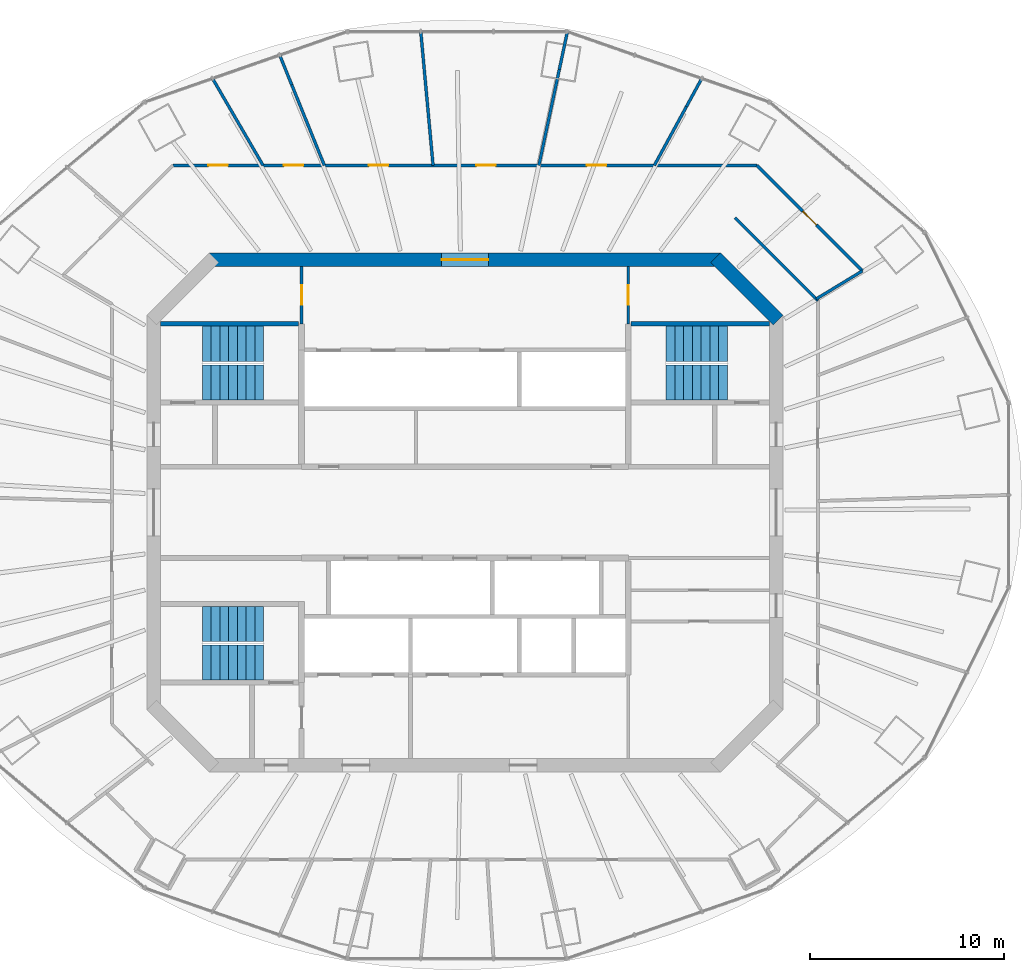
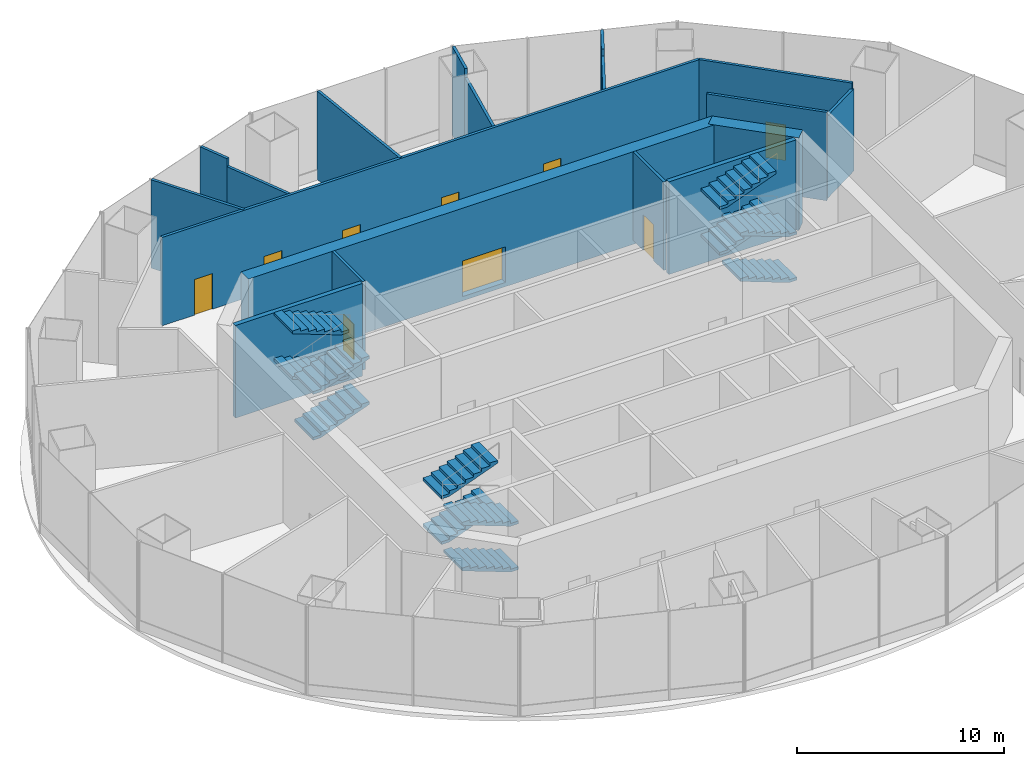
# One storey, part 11 of 12: 18 walls, 12 stair flights, 9 doors, 9 openings, 3 elements without a shape of their own.
"""IFC4 building model written with IfcOpenShell, lengths in metres."""

from ifc_helpers import new_model, si_unit, direction, frame, frame_2d, origin, place, context, subcontext, project, spatial, polyline, rectangle, outline, extrude, material, layer, layer_set, type_object, element, fill, aggregate, save


model = new_model("IFC4")

# Units and contexts
model_context = context("Model", 3, precision=1e-05, world=origin(), true_north=direction((0.0, 1.0)))
body_context = subcontext(model_context, "Body", "Model", "MODEL_VIEW")
ifc_project = project(units=[si_unit("LENGTHUNIT", "METRE"), si_unit("AREAUNIT", "SQUARE_METRE"), si_unit("VOLUMEUNIT", "CUBIC_METRE"), si_unit("PLANEANGLEUNIT", "RADIAN"), si_unit("MASSUNIT", "GRAM", prefix="KILO")], contexts=[model_context])

# Site, building, storey
site_placement = place(None, origin())
site = spatial("IfcSite", under=ifc_project, at=site_placement, CompositionType="ELEMENT")
building_placement = place(site_placement, origin())
building = spatial("IfcBuilding", under=site, at=building_placement, Name="Marenthal Gate Tower", CompositionType="ELEMENT")
storey_placement = place(building_placement, frame((0.0, 0.0, 279.10009765625)))
storey = spatial("IfcBuildingStorey", under=building, at=storey_placement, Name="L62", CompositionType="ELEMENT", Elevation=279.10009765625)

# Wall
ifc_material_1 = material(Name="Concrete 60 MPa", Category="concrete")
ifc_layer_1 = layer(ifc_material_1, 0.699951171875)
ifc_layer_set_1 = layer_set([ifc_layer_1], Name="Core shear wall 700")
wall_type_1 = type_object("IfcWallType", Name="Core shear wall 700", PredefinedType="SHEAR", material=ifc_layer_set_1)
wall_1_placement = place(storey_placement, frame((16.1025390625, 9.8974609375, -0.25), z_axis=(0.0, 0.0, 1.0), x_axis=(-0.707106781187, 0.707106781187, 0.0)))
element("IfcWall", 1, at=wall_1_placement, inside=storey, type_object=wall_type_1, Name="Core wall 03", PredefinedType="SHEAR", context=body_context, shape_type="SweptSolid", body=[
    extrude(rectangle(XDim=4.53271484375, YDim=0.699951171875, at=frame_2d((2.266357421875, 0.0))), origin(), (0.0, 0.0, 1.0), 5.469970703125),
])

# Wall, opening, door
wall_2_placement = place(storey_placement, frame((13.14501953125, 13.0, -0.25), z_axis=(0.0, 0.0, 1.0), x_axis=(-1.0, 0.0, 0.0)))
wall_2 = element("IfcWall", 2, at=wall_2_placement, inside=storey, type_object=wall_type_1, Name="Core wall 04", PredefinedType="SHEAR", context=body_context, shape_type="SweptSolid", body=[
    extrude(rectangle(XDim=26.2900390625, YDim=0.699951171875, at=frame_2d((13.14501953125, 0.0))), origin(), (0.0, 0.0, 1.0), 5.469970703125),
])
opening_1_placement = place(wall_2_placement, frame((11.945068359375, 0.0, 0.25)))
opening_1 = element("IfcOpeningElement", 3, at=opening_1_placement, cuts=wall_2, Name="Opening D003.03", PredefinedType="OPENING", context=body_context, shape_type="SweptSolid", body=[
    extrude(rectangle(XDim=2.39990234375, YDim=2.10009765625, at=frame_2d((1.199951171875, 1.050048828125))), frame((0.0, 0.35986328125, 0.0), z_axis=(0.0, -1.0, 0.0), x_axis=(1.0, 0.0, 0.0)), (0.0, 0.0, 1.0), 0.719970703125),
])
ifc_material_2 = material(Name="Steel fire door", Category="steel")
door_type_1 = type_object("IfcDoorType", Name="Double fire door FD 45 2400 x 2100", OperationType="DOUBLE_DOOR_SINGLE_SWING", PredefinedType="DOOR", material=ifc_material_2)
door_1_placement = place(opening_1_placement, origin())
door_1 = element("IfcDoor", 4, at=door_1_placement, inside=storey, type_object=door_type_1, Name="Door D003.03", OperationType="DOUBLE_DOOR_SINGLE_SWING", OverallHeight=2.10009765625, OverallWidth=2.39990234375, PredefinedType="DOOR", context=body_context, shape_type="SweptSolid", body=[
    extrude(rectangle(XDim=2.39990234375, YDim=2.10009765625, at=frame_2d((1.199951171875, 1.050048828125))), frame((0.0, 0.02490234375, 0.0), z_axis=(0.0, -1.0, 0.0), x_axis=(1.0, 0.0, 0.0)), (0.0, 0.0, 1.0), 0.050048828125),
])
fill(opening_1, door_1)

ifc_material_3 = material(Name="Gypsum board on steel studs", Category="steel")
ifc_layer_2 = layer(ifc_material_3, 0.14990234375)
ifc_layer_set_2 = layer_set([ifc_layer_2], Name="Partition 150")
wall_type_2 = type_object("IfcWallType", Name="Partition 150", PredefinedType="PARTITIONING", material=ifc_layer_set_2)
wall_3_placement = place(storey_placement, frame((-8.39990234375, 9.699951171875, 0.0), z_axis=(0.0, 0.0, 1.0), x_axis=(0.0, 1.0, 0.0)))
wall_3 = element("IfcWall", 5, at=wall_3_placement, inside=storey, type_object=wall_type_2, Name="Partition wall 34", PredefinedType="PARTITIONING", context=body_context, shape_type="SweptSolid", body=[
    extrude(rectangle(XDim=2.949951171875, YDim=0.14990234375, at=frame_2d((1.47509765625, 0.0))), origin(), (0.0, 0.0, 1.0), 5.219970703125),
])
opening_2_placement = place(wall_3_placement, frame((0.97509765625, 0.0, 0.0)))
opening_2 = element("IfcOpeningElement", 6, at=opening_2_placement, cuts=wall_3, Name="Opening D005.03", PredefinedType="OPENING", context=body_context, shape_type="SweptSolid", body=[
    extrude(rectangle(XDim=1.0, YDim=2.10009765625, at=frame_2d((0.5, 1.050048828125))), frame((0.0, 0.0849609375, 0.0), z_axis=(0.0, -1.0, 0.0), x_axis=(1.0, 0.0, 0.0)), (0.0, 0.0, 1.0), 0.169921875),
])
ifc_material_4 = material(Name="Steel fire door", Category="steel")
door_type_2 = type_object("IfcDoorType", Name="Fire door FD 45 1000 x 2100", OperationType="NOTDEFINED", PredefinedType="DOOR", material=ifc_material_4)
door_2_placement = place(opening_2_placement, origin())
door_2 = element("IfcDoor", 7, at=door_2_placement, inside=storey, type_object=door_type_2, Name="Door D005.03", OperationType="SINGLE_SWING_RIGHT", OverallHeight=2.10009765625, OverallWidth=1.0, PredefinedType="DOOR", context=body_context, shape_type="SweptSolid", body=[
    extrude(rectangle(XDim=1.0, YDim=2.10009765625, at=frame_2d((0.5, 1.050048828125))), frame((0.0, 0.02490234375, 0.0), z_axis=(0.0, -1.0, 0.0), x_axis=(1.0, 0.0, 0.0)), (0.0, 0.0, 1.0), 0.050048828125),
])
fill(opening_2, door_2)

wall_4_placement = place(storey_placement, frame((8.39990234375, 9.699951171875, 0.0), z_axis=(0.0, 0.0, 1.0), x_axis=(0.0, 1.0, 0.0)))
wall_4 = element("IfcWall", 8, at=wall_4_placement, inside=storey, type_object=wall_type_2, Name="Partition wall 48", PredefinedType="PARTITIONING", context=body_context, shape_type="SweptSolid", body=[
    extrude(rectangle(XDim=2.949951171875, YDim=0.14990234375, at=frame_2d((1.47509765625, 0.0))), origin(), (0.0, 0.0, 1.0), 5.219970703125),
])
opening_3_placement = place(wall_4_placement, frame((0.97509765625, 0.0, 0.0)))
opening_3 = element("IfcOpeningElement", 9, at=opening_3_placement, cuts=wall_4, Name="Opening D005.04", PredefinedType="OPENING", context=body_context, shape_type="SweptSolid", body=[
    extrude(rectangle(XDim=1.0, YDim=2.10009765625, at=frame_2d((0.5, 1.050048828125))), frame((0.0, 0.0849609375, 0.0), z_axis=(0.0, -1.0, 0.0), x_axis=(1.0, 0.0, 0.0)), (0.0, 0.0, 1.0), 0.169921875),
])
door_3_placement = place(opening_3_placement, frame((1.0, 0.0, 0.0), z_axis=(0.0, 0.0, 1.0), x_axis=(-1.0, 0.0, 0.0)))
door_3 = element("IfcDoor", 10, at=door_3_placement, inside=storey, type_object=door_type_2, Name="Door D005.04", OperationType="SINGLE_SWING_LEFT", OverallHeight=2.10009765625, OverallWidth=1.0, PredefinedType="DOOR", context=body_context, shape_type="SweptSolid", body=[
    extrude(rectangle(XDim=1.0, YDim=2.10009765625, at=frame_2d((0.5, 1.050048828125))), frame((0.0, 0.02490234375, 0.0), z_axis=(0.0, -1.0, 0.0), x_axis=(1.0, 0.0, 0.0)), (0.0, 0.0, 1.0), 0.050048828125),
])
fill(opening_3, door_3)

# Wall, openings, doors
wall_5_placement = place(storey_placement, frame((-15.009033203125, 17.85009765625, 0.0), z_axis=(0.0, 0.0, 1.0), x_axis=(1.0, 0.0, 0.0)))
wall_5 = element("IfcWall", 11, at=wall_5_placement, inside=storey, type_object=wall_type_2, Name="Partition wall 51", PredefinedType="PARTITIONING", context=body_context, shape_type="SweptSolid", body=[
    extrude(rectangle(XDim=30.01806640625, YDim=0.14990234375, at=frame_2d((15.009033203125, 0.0))), origin(), (0.0, 0.0, 1.0), 5.219970703125),
])
opening_4_placement = place(wall_5_placement, frame((21.2822265625, 0.0, 0.0)))
opening_4 = element("IfcOpeningElement", 12, at=opening_4_placement, cuts=wall_5, Name="Opening D012.02", PredefinedType="OPENING", context=body_context, shape_type="SweptSolid", body=[
    extrude(rectangle(XDim=1.0, YDim=2.10009765625, at=frame_2d((0.5, 1.050048828125))), frame((0.0, 0.0849609375, 0.0), z_axis=(0.0, -1.0, 0.0), x_axis=(1.0, 0.0, 0.0)), (0.0, 0.0, 1.0), 0.169921875),
])
opening_5_placement = place(wall_5_placement, frame((15.592041015625, 0.0, 0.0)))
opening_5 = element("IfcOpeningElement", 13, at=opening_5_placement, cuts=wall_5, Name="Opening D012.03", PredefinedType="OPENING", context=body_context, shape_type="SweptSolid", body=[
    extrude(rectangle(XDim=1.0, YDim=2.10009765625, at=frame_2d((0.5, 1.050048828125))), frame((0.0, 0.0849609375, 0.0), z_axis=(0.0, -1.0, 0.0), x_axis=(1.0, 0.0, 0.0)), (0.0, 0.0, 1.0), 0.169921875),
])
opening_6_placement = place(wall_5_placement, frame((10.075439453125, 0.0, 0.0)))
opening_6 = element("IfcOpeningElement", 14, at=opening_6_placement, cuts=wall_5, Name="Opening D012.04", PredefinedType="OPENING", context=body_context, shape_type="SweptSolid", body=[
    extrude(rectangle(XDim=1.0, YDim=2.10009765625, at=frame_2d((0.5, 1.050048828125))), frame((0.0, 0.0849609375, 0.0), z_axis=(0.0, -1.0, 0.0), x_axis=(1.0, 0.0, 0.0)), (0.0, 0.0, 1.0), 0.169921875),
])
opening_7_placement = place(wall_5_placement, frame((5.703857421875, 0.0, 0.0)))
opening_7 = element("IfcOpeningElement", 15, at=opening_7_placement, cuts=wall_5, Name="Opening D012.05", PredefinedType="OPENING", context=body_context, shape_type="SweptSolid", body=[
    extrude(rectangle(XDim=1.0, YDim=2.10009765625, at=frame_2d((0.5, 1.050048828125))), frame((0.0, 0.0849609375, 0.0), z_axis=(0.0, -1.0, 0.0), x_axis=(1.0, 0.0, 0.0)), (0.0, 0.0, 1.0), 0.169921875),
])
opening_8_placement = place(wall_5_placement, frame((1.813720703125, 0.0, 0.0)))
opening_8 = element("IfcOpeningElement", 16, at=opening_8_placement, cuts=wall_5, Name="Opening D012.06", PredefinedType="OPENING", context=body_context, shape_type="SweptSolid", body=[
    extrude(rectangle(XDim=1.0, YDim=2.10009765625, at=frame_2d((0.5, 1.050048828125))), frame((0.0, 0.0849609375, 0.0), z_axis=(0.0, -1.0, 0.0), x_axis=(1.0, 0.0, 0.0)), (0.0, 0.0, 1.0), 0.169921875),
])
ifc_material_5 = material(Name="Timber door", Category="wood")
door_type_3 = type_object("IfcDoorType", Name="Door 1000 x 2100", OperationType="NOTDEFINED", PredefinedType="DOOR", material=ifc_material_5)
door_4_placement = place(opening_4_placement, origin())
door_4 = element("IfcDoor", 17, at=door_4_placement, inside=storey, type_object=door_type_3, Name="Door D012.02", OperationType="SINGLE_SWING_RIGHT", OverallHeight=2.10009765625, OverallWidth=1.0, PredefinedType="DOOR", context=body_context, shape_type="SweptSolid", body=[
    extrude(rectangle(XDim=1.0, YDim=2.10009765625, at=frame_2d((0.5, 1.050048828125))), frame((0.0, 0.02490234375, 0.0), z_axis=(0.0, -1.0, 0.0), x_axis=(1.0, 0.0, 0.0)), (0.0, 0.0, 1.0), 0.050048828125),
])
fill(opening_4, door_4)
door_5_placement = place(opening_5_placement, origin())
door_5 = element("IfcDoor", 18, at=door_5_placement, inside=storey, type_object=door_type_3, Name="Door D012.03", OperationType="SINGLE_SWING_RIGHT", OverallHeight=2.10009765625, OverallWidth=1.0, PredefinedType="DOOR", context=body_context, shape_type="SweptSolid", body=[
    extrude(rectangle(XDim=1.0, YDim=2.10009765625, at=frame_2d((0.5, 1.050048828125))), frame((0.0, 0.02490234375, 0.0), z_axis=(0.0, -1.0, 0.0), x_axis=(1.0, 0.0, 0.0)), (0.0, 0.0, 1.0), 0.050048828125),
])
fill(opening_5, door_5)
door_6_placement = place(opening_6_placement, origin())
door_6 = element("IfcDoor", 19, at=door_6_placement, inside=storey, type_object=door_type_3, Name="Door D012.04", OperationType="SINGLE_SWING_RIGHT", OverallHeight=2.10009765625, OverallWidth=1.0, PredefinedType="DOOR", context=body_context, shape_type="SweptSolid", body=[
    extrude(rectangle(XDim=1.0, YDim=2.10009765625, at=frame_2d((0.5, 1.050048828125))), frame((0.0, 0.02490234375, 0.0), z_axis=(0.0, -1.0, 0.0), x_axis=(1.0, 0.0, 0.0)), (0.0, 0.0, 1.0), 0.050048828125),
])
fill(opening_6, door_6)
door_7_placement = place(opening_7_placement, origin())
door_7 = element("IfcDoor", 20, at=door_7_placement, inside=storey, type_object=door_type_3, Name="Door D012.05", OperationType="SINGLE_SWING_RIGHT", OverallHeight=2.10009765625, OverallWidth=1.0, PredefinedType="DOOR", context=body_context, shape_type="SweptSolid", body=[
    extrude(rectangle(XDim=1.0, YDim=2.10009765625, at=frame_2d((0.5, 1.050048828125))), frame((0.0, 0.02490234375, 0.0), z_axis=(0.0, -1.0, 0.0), x_axis=(1.0, 0.0, 0.0)), (0.0, 0.0, 1.0), 0.050048828125),
])
fill(opening_7, door_7)
door_8_placement = place(opening_8_placement, origin())
door_8 = element("IfcDoor", 21, at=door_8_placement, inside=storey, type_object=door_type_3, Name="Door D012.06", OperationType="SINGLE_SWING_RIGHT", OverallHeight=2.10009765625, OverallWidth=1.0, PredefinedType="DOOR", context=body_context, shape_type="SweptSolid", body=[
    extrude(rectangle(XDim=1.0, YDim=2.10009765625, at=frame_2d((0.5, 1.050048828125))), frame((0.0, 0.02490234375, 0.0), z_axis=(0.0, -1.0, 0.0), x_axis=(1.0, 0.0, 0.0)), (0.0, 0.0, 1.0), 0.050048828125),
])
fill(opening_8, door_8)

# Walls
wall_6_placement = place(storey_placement, frame((18.064208984375, 10.976318359375, 0.0), z_axis=(0.0, 0.0, 1.0), x_axis=(0.854588442766, 0.519305876619, 0.0)))
element("IfcWall", 22, at=wall_6_placement, inside=storey, type_object=wall_type_2, Name="Partition wall 57", PredefinedType="PARTITIONING", context=body_context, shape_type="SweptSolid", body=[
    extrude(rectangle(XDim=2.779296875, YDim=0.14990234375, at=frame_2d((1.3896484375, 0.0))), origin(), (0.0, 0.0, 1.0), 4.866943359375),
])
wall_7_placement = place(storey_placement, frame((9.7421875, 17.85009765625, 0.0), z_axis=(0.0, 0.0, 1.0), x_axis=(0.479051311854, 0.877786899316, 0.0)))
element("IfcWall", 23, at=wall_7_placement, inside=storey, type_object=wall_type_2, Name="Partition wall 62", PredefinedType="PARTITIONING", context=body_context, shape_type="SweptSolid", body=[
    extrude(rectangle(XDim=3.434814453125, YDim=0.14990234375, at=frame_2d((1.71728515625, 0.0))), origin(), (0.0, 0.0, 1.0), 4.802978515625),
])
wall_8_placement = place(storey_placement, frame((11.3876953125, 20.865234375, 0.0), z_axis=(0.0, 0.0, 1.0), x_axis=(0.479134206063, 0.877741654805, 0.0)))
element("IfcWall", 24, at=wall_8_placement, inside=storey, type_object=wall_type_2, Name="Partition wall 94", PredefinedType="PARTITIONING", context=body_context, shape_type="SweptSolid", body=[
    extrude(rectangle(XDim=1.63720703125, YDim=0.14990234375, at=frame_2d((0.818603515625, 0.0))), origin(), (0.0, 0.0, 1.0), 5.219970703125),
])
wall_9_placement = place(storey_placement, frame((3.804443359375, 17.85009765625, 0.0), z_axis=(0.0, 0.0, 1.0), x_axis=(0.208471298824, 0.978028485049, 0.0)))
element("IfcWall", 25, at=wall_9_placement, inside=storey, type_object=wall_type_2, Name="Partition wall 63", PredefinedType="PARTITIONING", context=body_context, shape_type="SweptSolid", body=[
    extrude(rectangle(XDim=5.02880859375, YDim=0.14990234375, at=frame_2d((2.514404296875, 0.0))), origin(), (0.0, 0.0, 1.0), 4.683837890625),
])
wall_10_placement = place(storey_placement, frame((4.852783203125, 22.768310546875, 0.0), z_axis=(0.0, 0.0, 1.0), x_axis=(0.208468771503, 0.978029023755, 0.0)))
element("IfcWall", 26, at=wall_10_placement, inside=storey, type_object=wall_type_2, Name="Partition wall 95", PredefinedType="PARTITIONING", context=body_context, shape_type="SweptSolid", body=[
    extrude(rectangle(XDim=1.9814453125, YDim=0.14990234375, at=frame_2d((0.99072265625, 0.0))), origin(), (0.0, 0.0, 1.0), 5.219970703125),
])
wall_11_placement = place(storey_placement, frame((-1.638427734375, 17.85009765625, 0.0), z_axis=(0.0, 0.0, 1.0), x_axis=(-0.091426453393, 0.995811831432, 0.0)))
element("IfcWall", 27, at=wall_11_placement, inside=storey, type_object=wall_type_2, Name="Partition wall 68", PredefinedType="PARTITIONING", context=body_context, shape_type="SweptSolid", body=[
    extrude(rectangle(XDim=6.894775390625, YDim=0.14990234375, at=frame_2d((3.447265625, 0.0))), origin(), (0.0, 0.0, 1.0), 5.219970703125),
])
wall_12_placement = place(storey_placement, frame((-7.228515625, 17.85009765625, 0.0), z_axis=(0.0, 0.0, 1.0), x_axis=(-0.375357230071, 0.926880224103, 0.0)))
element("IfcWall", 28, at=wall_12_placement, inside=storey, type_object=wall_type_2, Name="Partition wall 70", PredefinedType="PARTITIONING", context=body_context, shape_type="SweptSolid", body=[
    extrude(rectangle(XDim=4.4638671875, YDim=0.14990234375, at=frame_2d((2.23193359375, 0.0))), origin(), (0.0, 0.0, 1.0), 4.7529296875),
])
wall_13_placement = place(storey_placement, frame((-8.904052734375, 21.987548828125, 0.0), z_axis=(0.0, 0.0, 1.0), x_axis=(-0.375296508976, 0.926904811915, 0.0)))
element("IfcWall", 29, at=wall_13_placement, inside=storey, type_object=wall_type_2, Name="Partition wall 97", PredefinedType="PARTITIONING", context=body_context, shape_type="SweptSolid", body=[
    extrude(rectangle(XDim=1.63671875, YDim=0.14990234375, at=frame_2d((0.818359375, 0.0))), origin(), (0.0, 0.0, 1.0), 5.219970703125),
])
wall_14_placement = place(storey_placement, frame((-10.3818359375, 17.85009765625, 0.0), z_axis=(0.0, 0.0, 1.0), x_axis=(-0.502765445724, 0.864422874863, 0.0)))
element("IfcWall", 30, at=wall_14_placement, inside=storey, type_object=wall_type_2, Name="Partition wall 73", PredefinedType="PARTITIONING", context=body_context, shape_type="SweptSolid", body=[
    extrude(rectangle(XDim=5.150634765625, YDim=0.14990234375, at=frame_2d((2.5751953125, 0.0))), origin(), (0.0, 0.0, 1.0), 5.219970703125),
])

# Wall, opening, door
wall_15_placement = place(storey_placement, frame((20.439453125, 12.419677734375, 0.0), z_axis=(0.0, 0.0, 1.0), x_axis=(-0.707106781187, 0.707106781187, 0.0)))
wall_15 = element("IfcWall", 31, at=wall_15_placement, inside=storey, type_object=wall_type_2, Name="Partition wall 75", PredefinedType="PARTITIONING", context=body_context, shape_type="SweptSolid", body=[
    extrude(rectangle(XDim=7.6796875, YDim=0.14990234375, at=frame_2d((3.83984375, 0.0))), origin(), (0.0, 0.0, 1.0), 5.219970703125),
])
opening_9_placement = place(wall_15_placement, frame((3.33984375, 0.0, 0.0)))
opening_9 = element("IfcOpeningElement", 32, at=opening_9_placement, cuts=wall_15, Name="Opening D012.01", PredefinedType="OPENING", context=body_context, shape_type="SweptSolid", body=[
    extrude(rectangle(XDim=1.0, YDim=2.10009765625, at=frame_2d((0.5, 1.050048828125))), frame((0.0, 0.0849609375, 0.0), z_axis=(0.0, -1.0, 0.0), x_axis=(1.0, 0.0, 0.0)), (0.0, 0.0, 1.0), 0.169921875),
])
door_9_placement = place(opening_9_placement, origin())
door_9 = element("IfcDoor", 33, at=door_9_placement, inside=storey, type_object=door_type_3, Name="Door D012.01", OperationType="SINGLE_SWING_RIGHT", OverallHeight=2.10009765625, OverallWidth=1.0, PredefinedType="DOOR", context=body_context, shape_type="SweptSolid", body=[
    extrude(rectangle(XDim=1.0, YDim=2.10009765625, at=frame_2d((0.5, 1.050048828125))), frame((0.0, 0.02490234375, 0.0), z_axis=(0.0, -1.0, 0.0), x_axis=(1.0, 0.0, 0.0)), (0.0, 0.0, 1.0), 0.050048828125),
])
fill(opening_9, door_9)

# Walls
wall_16_placement = place(storey_placement, frame((18.14990234375, 10.890625, 0.0), z_axis=(0.0, 0.0, 1.0), x_axis=(-0.707106781187, 0.707106781187, 0.0)))
element("IfcWall", 34, at=wall_16_placement, inside=storey, type_object=wall_type_2, Name="Partition wall 76", PredefinedType="PARTITIONING", context=body_context, shape_type="SweptSolid", body=[
    extrude(rectangle(XDim=6.0234375, YDim=0.14990234375, at=frame_2d((3.01171875, 0.0))), origin(), (0.0, 0.0, 1.0), 5.219970703125),
])
ifc_material_6 = material(Name="Concrete 50 MPa", Category="concrete")
ifc_layer_3 = layer(ifc_material_6, 0.25)
ifc_layer_set_3 = layer_set([ifc_layer_3], Name="Stair shear wall 250")
wall_type_3 = type_object("IfcWallType", Name="Stair shear wall 250", PredefinedType="SHEAR", material=ifc_layer_set_3)
for number, where, z_axis, x_axis, name in (
    (35, (-15.64990234375, 9.699951171875, -0.25), (0.0, 0.0, 1.0), (1.0, 0.0, 0.0), "Stair wall 26"),
    (36, (8.550048828125, 9.699951171875, -0.25), (0.0, 0.0, 1.0), (1.0, 0.0, 0.0), "Stair wall 27"),
):
    element("IfcWall", number, at=place(storey_placement, frame(where, z_axis=z_axis, x_axis=x_axis)), inside=storey, type_object=wall_type_3, Name=name, PredefinedType="SHEAR", context=body_context, shape_type="SweptSolid", body=[
        extrude(rectangle(XDim=7.099853515625, YDim=0.25, at=frame_2d((3.5498046875, 0.0))), origin(), (0.0, 0.0, 1.0), 5.469970703125),
    ])

# Stair, stair flights
ifc_material_7 = material(Name="Concrete 40 MPa", Category="concrete")
stair_type = type_object("IfcStairType", Name="Exit stair 1800", PredefinedType="HALF_TURN_STAIR", material=ifc_material_7)
stair_1_placement = place(storey_placement, origin())
stair_1 = element("IfcStair", 37, at=stair_1_placement, inside=storey, type_object=stair_type, Name="Stair ST1", PredefinedType="HALF_TURN_STAIR")
ifc_material_8 = material(Name="Concrete 40 MPa", Category="concrete")
stair_flight_type = type_object("IfcStairFlightType", Name="Stair flight 1800", PredefinedType="STRAIGHT", material=ifc_material_8)
stair_flight_1_placement = place(storey_placement, frame((-13.5, 6.675048828125, 0.0), z_axis=(0.0, 0.0, 1.0), x_axis=(1.0, 0.0, 0.0)))
stair_flight_1 = element("IfcStairFlight", 38, at=stair_flight_1_placement, type_object=stair_flight_type, Name="ST1 flight 1", NumberOfRisers=8, NumberOfTreads=7, PredefinedType="STRAIGHT", RiserHeight=0.16875, TreadLength=0.45, context=body_context, shape_type="SweptSolid", body=[
    extrude(outline(polyline([(0.0, 0.0), (0.0, 0.168701171875), (0.449951171875, 0.168701171875), (0.449951171875, 0.33740234375), (0.89990234375, 0.33740234375), (0.89990234375, 0.50634765625), (1.35009765625, 0.50634765625), (1.35009765625, 0.675048828125), (1.800048828125, 0.675048828125), (1.800048828125, 0.84375), (2.25, 0.84375), (2.25, 1.012451171875), (2.699951171875, 1.012451171875), (2.699951171875, 1.18115234375), (3.14990234375, 1.18115234375), (3.14990234375, 1.35009765625), (3.14990234375, 1.021240234375), (0.427001953125, 0.0), (0.0, 0.0)])), frame((0.0, 0.89990234375, 0.0), z_axis=(0.0, -1.0, 0.0), x_axis=(1.0, 0.0, 0.0)), (0.0, 0.0, 1.0), 1.800048828125),
])
stair_flight_2_placement = place(storey_placement, frame((-10.35009765625, 8.675048828125, 1.349853515625), z_axis=(0.0, 0.0, 1.0), x_axis=(-1.0, 0.0, 0.0)))
stair_flight_2 = element("IfcStairFlight", 39, at=stair_flight_2_placement, type_object=stair_flight_type, Name="ST1 flight 2", NumberOfRisers=8, NumberOfTreads=7, PredefinedType="STRAIGHT", RiserHeight=0.16875, TreadLength=0.45, context=body_context, shape_type="SweptSolid", body=[
    extrude(outline(polyline([(0.0, 0.0), (0.0, 0.168701171875), (0.449951171875, 0.168701171875), (0.449951171875, 0.33740234375), (0.89990234375, 0.33740234375), (0.89990234375, 0.50634765625), (1.35009765625, 0.50634765625), (1.35009765625, 0.675048828125), (1.800048828125, 0.675048828125), (1.800048828125, 0.84375), (2.25, 0.84375), (2.25, 1.012451171875), (2.699951171875, 1.012451171875), (2.699951171875, 1.18115234375), (3.14990234375, 1.18115234375), (3.14990234375, 1.35009765625), (3.14990234375, 1.021240234375), (0.427001953125, 0.0), (0.0, 0.0)])), frame((0.0, 0.89990234375, 0.0), z_axis=(0.0, -1.0, 0.0), x_axis=(1.0, 0.0, 0.0)), (0.0, 0.0, 1.0), 1.800048828125),
])
stair_flight_3_placement = place(storey_placement, frame((-13.5, 6.675048828125, 2.699951171875), z_axis=(0.0, 0.0, 1.0), x_axis=(1.0, 0.0, 0.0)))
stair_flight_3 = element("IfcStairFlight", 40, at=stair_flight_3_placement, type_object=stair_flight_type, Name="ST1 flight 3", NumberOfRisers=8, NumberOfTreads=7, PredefinedType="STRAIGHT", RiserHeight=0.16875, TreadLength=0.45, context=body_context, shape_type="SweptSolid", body=[
    extrude(outline(polyline([(0.0, 0.0), (0.0, 0.168701171875), (0.449951171875, 0.168701171875), (0.449951171875, 0.33740234375), (0.89990234375, 0.33740234375), (0.89990234375, 0.50634765625), (1.35009765625, 0.50634765625), (1.35009765625, 0.675048828125), (1.800048828125, 0.675048828125), (1.800048828125, 0.84375), (2.25, 0.84375), (2.25, 1.012451171875), (2.699951171875, 1.012451171875), (2.699951171875, 1.18115234375), (3.14990234375, 1.18115234375), (3.14990234375, 1.35009765625), (3.14990234375, 1.021240234375), (0.427001953125, 0.0), (0.0, 0.0)])), frame((0.0, 0.89990234375, 0.0), z_axis=(0.0, -1.0, 0.0), x_axis=(1.0, 0.0, 0.0)), (0.0, 0.0, 1.0), 1.800048828125),
])
stair_flight_4_placement = place(storey_placement, frame((-10.35009765625, 8.675048828125, 4.0498046875), z_axis=(0.0, 0.0, 1.0), x_axis=(-1.0, 0.0, 0.0)))
stair_flight_4 = element("IfcStairFlight", 41, at=stair_flight_4_placement, type_object=stair_flight_type, Name="ST1 flight 4", NumberOfRisers=8, NumberOfTreads=7, PredefinedType="STRAIGHT", RiserHeight=0.16875, TreadLength=0.45, context=body_context, shape_type="SweptSolid", body=[
    extrude(outline(polyline([(0.0, 0.0), (0.0, 0.168701171875), (0.449951171875, 0.168701171875), (0.449951171875, 0.33740234375), (0.89990234375, 0.33740234375), (0.89990234375, 0.50634765625), (1.35009765625, 0.50634765625), (1.35009765625, 0.675048828125), (1.800048828125, 0.675048828125), (1.800048828125, 0.84375), (2.25, 0.84375), (2.25, 1.012451171875), (2.699951171875, 1.012451171875), (2.699951171875, 1.18115234375), (3.14990234375, 1.18115234375), (3.14990234375, 1.35009765625), (3.14990234375, 1.021240234375), (0.427001953125, 0.0), (0.0, 0.0)])), frame((0.0, 0.89990234375, 0.0), z_axis=(0.0, -1.0, 0.0), x_axis=(1.0, 0.0, 0.0)), (0.0, 0.0, 1.0), 1.800048828125),
])
aggregate(stair_1, [stair_flight_1, stair_flight_2, stair_flight_3, stair_flight_4])

stair_2_placement = place(storey_placement, origin())
stair_2 = element("IfcStair", 42, at=stair_2_placement, inside=storey, type_object=stair_type, Name="Stair ST2", PredefinedType="HALF_TURN_STAIR")
stair_flight_5_placement = place(storey_placement, frame((-10.35009765625, -7.72509765625, 0.0), z_axis=(0.0, 0.0, 1.0), x_axis=(-1.0, 0.0, 0.0)))
stair_flight_5 = element("IfcStairFlight", 43, at=stair_flight_5_placement, type_object=stair_flight_type, Name="ST2 flight 1", NumberOfRisers=8, NumberOfTreads=7, PredefinedType="STRAIGHT", RiserHeight=0.16875, TreadLength=0.45, context=body_context, shape_type="SweptSolid", body=[
    extrude(outline(polyline([(0.0, 0.0), (0.0, 0.168701171875), (0.449951171875, 0.168701171875), (0.449951171875, 0.33740234375), (0.89990234375, 0.33740234375), (0.89990234375, 0.50634765625), (1.35009765625, 0.50634765625), (1.35009765625, 0.675048828125), (1.800048828125, 0.675048828125), (1.800048828125, 0.84375), (2.25, 0.84375), (2.25, 1.012451171875), (2.699951171875, 1.012451171875), (2.699951171875, 1.18115234375), (3.14990234375, 1.18115234375), (3.14990234375, 1.35009765625), (3.14990234375, 1.021240234375), (0.427001953125, 0.0), (0.0, 0.0)])), frame((0.0, 0.89990234375, 0.0), z_axis=(0.0, -1.0, 0.0), x_axis=(1.0, 0.0, 0.0)), (0.0, 0.0, 1.0), 1.800048828125),
])
stair_flight_6_placement = place(storey_placement, frame((-13.5, -5.72509765625, 1.349853515625), z_axis=(0.0, 0.0, 1.0), x_axis=(1.0, 0.0, 0.0)))
stair_flight_6 = element("IfcStairFlight", 44, at=stair_flight_6_placement, type_object=stair_flight_type, Name="ST2 flight 2", NumberOfRisers=8, NumberOfTreads=7, PredefinedType="STRAIGHT", RiserHeight=0.16875, TreadLength=0.45, context=body_context, shape_type="SweptSolid", body=[
    extrude(outline(polyline([(0.0, 0.0), (0.0, 0.168701171875), (0.449951171875, 0.168701171875), (0.449951171875, 0.33740234375), (0.89990234375, 0.33740234375), (0.89990234375, 0.50634765625), (1.35009765625, 0.50634765625), (1.35009765625, 0.675048828125), (1.800048828125, 0.675048828125), (1.800048828125, 0.84375), (2.25, 0.84375), (2.25, 1.012451171875), (2.699951171875, 1.012451171875), (2.699951171875, 1.18115234375), (3.14990234375, 1.18115234375), (3.14990234375, 1.35009765625), (3.14990234375, 1.021240234375), (0.427001953125, 0.0), (0.0, 0.0)])), frame((0.0, 0.89990234375, 0.0), z_axis=(0.0, -1.0, 0.0), x_axis=(1.0, 0.0, 0.0)), (0.0, 0.0, 1.0), 1.800048828125),
])
stair_flight_7_placement = place(storey_placement, frame((-10.35009765625, -7.72509765625, 2.699951171875), z_axis=(0.0, 0.0, 1.0), x_axis=(-1.0, 0.0, 0.0)))
stair_flight_7 = element("IfcStairFlight", 45, at=stair_flight_7_placement, type_object=stair_flight_type, Name="ST2 flight 3", NumberOfRisers=8, NumberOfTreads=7, PredefinedType="STRAIGHT", RiserHeight=0.16875, TreadLength=0.45, context=body_context, shape_type="SweptSolid", body=[
    extrude(outline(polyline([(0.0, 0.0), (0.0, 0.168701171875), (0.449951171875, 0.168701171875), (0.449951171875, 0.33740234375), (0.89990234375, 0.33740234375), (0.89990234375, 0.50634765625), (1.35009765625, 0.50634765625), (1.35009765625, 0.675048828125), (1.800048828125, 0.675048828125), (1.800048828125, 0.84375), (2.25, 0.84375), (2.25, 1.012451171875), (2.699951171875, 1.012451171875), (2.699951171875, 1.18115234375), (3.14990234375, 1.18115234375), (3.14990234375, 1.35009765625), (3.14990234375, 1.021240234375), (0.427001953125, 0.0), (0.0, 0.0)])), frame((0.0, 0.89990234375, 0.0), z_axis=(0.0, -1.0, 0.0), x_axis=(1.0, 0.0, 0.0)), (0.0, 0.0, 1.0), 1.800048828125),
])
stair_flight_8_placement = place(storey_placement, frame((-13.5, -5.72509765625, 4.0498046875), z_axis=(0.0, 0.0, 1.0), x_axis=(1.0, 0.0, 0.0)))
stair_flight_8 = element("IfcStairFlight", 46, at=stair_flight_8_placement, type_object=stair_flight_type, Name="ST2 flight 4", NumberOfRisers=8, NumberOfTreads=7, PredefinedType="STRAIGHT", RiserHeight=0.16875, TreadLength=0.45, context=body_context, shape_type="SweptSolid", body=[
    extrude(outline(polyline([(0.0, 0.0), (0.0, 0.168701171875), (0.449951171875, 0.168701171875), (0.449951171875, 0.33740234375), (0.89990234375, 0.33740234375), (0.89990234375, 0.50634765625), (1.35009765625, 0.50634765625), (1.35009765625, 0.675048828125), (1.800048828125, 0.675048828125), (1.800048828125, 0.84375), (2.25, 0.84375), (2.25, 1.012451171875), (2.699951171875, 1.012451171875), (2.699951171875, 1.18115234375), (3.14990234375, 1.18115234375), (3.14990234375, 1.35009765625), (3.14990234375, 1.021240234375), (0.427001953125, 0.0), (0.0, 0.0)])), frame((0.0, 0.89990234375, 0.0), z_axis=(0.0, -1.0, 0.0), x_axis=(1.0, 0.0, 0.0)), (0.0, 0.0, 1.0), 1.800048828125),
])
aggregate(stair_2, [stair_flight_5, stair_flight_6, stair_flight_7, stair_flight_8])

stair_3_placement = place(storey_placement, origin())
stair_3 = element("IfcStair", 47, at=stair_3_placement, inside=storey, type_object=stair_type, Name="Stair ST3", PredefinedType="HALF_TURN_STAIR")
stair_flight_9_placement = place(storey_placement, frame((13.5, 6.675048828125, 0.0), z_axis=(0.0, 0.0, 1.0), x_axis=(-1.0, 0.0, 0.0)))
stair_flight_9 = element("IfcStairFlight", 48, at=stair_flight_9_placement, type_object=stair_flight_type, Name="ST3 flight 1", NumberOfRisers=8, NumberOfTreads=7, PredefinedType="STRAIGHT", RiserHeight=0.16875, TreadLength=0.45, context=body_context, shape_type="SweptSolid", body=[
    extrude(outline(polyline([(0.0, 0.0), (0.0, 0.168701171875), (0.449951171875, 0.168701171875), (0.449951171875, 0.33740234375), (0.89990234375, 0.33740234375), (0.89990234375, 0.50634765625), (1.35009765625, 0.50634765625), (1.35009765625, 0.675048828125), (1.800048828125, 0.675048828125), (1.800048828125, 0.84375), (2.25, 0.84375), (2.25, 1.012451171875), (2.699951171875, 1.012451171875), (2.699951171875, 1.18115234375), (3.14990234375, 1.18115234375), (3.14990234375, 1.35009765625), (3.14990234375, 1.021240234375), (0.427001953125, 0.0), (0.0, 0.0)])), frame((0.0, 0.89990234375, 0.0), z_axis=(0.0, -1.0, 0.0), x_axis=(1.0, 0.0, 0.0)), (0.0, 0.0, 1.0), 1.800048828125),
])
stair_flight_10_placement = place(storey_placement, frame((10.35009765625, 8.675048828125, 1.349853515625), z_axis=(0.0, 0.0, 1.0), x_axis=(1.0, 0.0, 0.0)))
stair_flight_10 = element("IfcStairFlight", 49, at=stair_flight_10_placement, type_object=stair_flight_type, Name="ST3 flight 2", NumberOfRisers=8, NumberOfTreads=7, PredefinedType="STRAIGHT", RiserHeight=0.16875, TreadLength=0.45, context=body_context, shape_type="SweptSolid", body=[
    extrude(outline(polyline([(0.0, 0.0), (0.0, 0.168701171875), (0.449951171875, 0.168701171875), (0.449951171875, 0.33740234375), (0.89990234375, 0.33740234375), (0.89990234375, 0.50634765625), (1.35009765625, 0.50634765625), (1.35009765625, 0.675048828125), (1.800048828125, 0.675048828125), (1.800048828125, 0.84375), (2.25, 0.84375), (2.25, 1.012451171875), (2.699951171875, 1.012451171875), (2.699951171875, 1.18115234375), (3.14990234375, 1.18115234375), (3.14990234375, 1.35009765625), (3.14990234375, 1.021240234375), (0.427001953125, 0.0), (0.0, 0.0)])), frame((0.0, 0.89990234375, 0.0), z_axis=(0.0, -1.0, 0.0), x_axis=(1.0, 0.0, 0.0)), (0.0, 0.0, 1.0), 1.800048828125),
])
stair_flight_11_placement = place(storey_placement, frame((13.5, 6.675048828125, 2.699951171875), z_axis=(0.0, 0.0, 1.0), x_axis=(-1.0, 0.0, 0.0)))
stair_flight_11 = element("IfcStairFlight", 50, at=stair_flight_11_placement, type_object=stair_flight_type, Name="ST3 flight 3", NumberOfRisers=8, NumberOfTreads=7, PredefinedType="STRAIGHT", RiserHeight=0.16875, TreadLength=0.45, context=body_context, shape_type="SweptSolid", body=[
    extrude(outline(polyline([(0.0, 0.0), (0.0, 0.168701171875), (0.449951171875, 0.168701171875), (0.449951171875, 0.33740234375), (0.89990234375, 0.33740234375), (0.89990234375, 0.50634765625), (1.35009765625, 0.50634765625), (1.35009765625, 0.675048828125), (1.800048828125, 0.675048828125), (1.800048828125, 0.84375), (2.25, 0.84375), (2.25, 1.012451171875), (2.699951171875, 1.012451171875), (2.699951171875, 1.18115234375), (3.14990234375, 1.18115234375), (3.14990234375, 1.35009765625), (3.14990234375, 1.021240234375), (0.427001953125, 0.0), (0.0, 0.0)])), frame((0.0, 0.89990234375, 0.0), z_axis=(0.0, -1.0, 0.0), x_axis=(1.0, 0.0, 0.0)), (0.0, 0.0, 1.0), 1.800048828125),
])
stair_flight_12_placement = place(storey_placement, frame((10.35009765625, 8.675048828125, 4.0498046875), z_axis=(0.0, 0.0, 1.0), x_axis=(1.0, 0.0, 0.0)))
stair_flight_12 = element("IfcStairFlight", 51, at=stair_flight_12_placement, type_object=stair_flight_type, Name="ST3 flight 4", NumberOfRisers=8, NumberOfTreads=7, PredefinedType="STRAIGHT", RiserHeight=0.16875, TreadLength=0.45, context=body_context, shape_type="SweptSolid", body=[
    extrude(outline(polyline([(0.0, 0.0), (0.0, 0.168701171875), (0.449951171875, 0.168701171875), (0.449951171875, 0.33740234375), (0.89990234375, 0.33740234375), (0.89990234375, 0.50634765625), (1.35009765625, 0.50634765625), (1.35009765625, 0.675048828125), (1.800048828125, 0.675048828125), (1.800048828125, 0.84375), (2.25, 0.84375), (2.25, 1.012451171875), (2.699951171875, 1.012451171875), (2.699951171875, 1.18115234375), (3.14990234375, 1.18115234375), (3.14990234375, 1.35009765625), (3.14990234375, 1.021240234375), (0.427001953125, 0.0), (0.0, 0.0)])), frame((0.0, 0.89990234375, 0.0), z_axis=(0.0, -1.0, 0.0), x_axis=(1.0, 0.0, 0.0)), (0.0, 0.0, 1.0), 1.800048828125),
])
aggregate(stair_3, [stair_flight_9, stair_flight_10, stair_flight_11, stair_flight_12])

save(model, "model.ifc")
